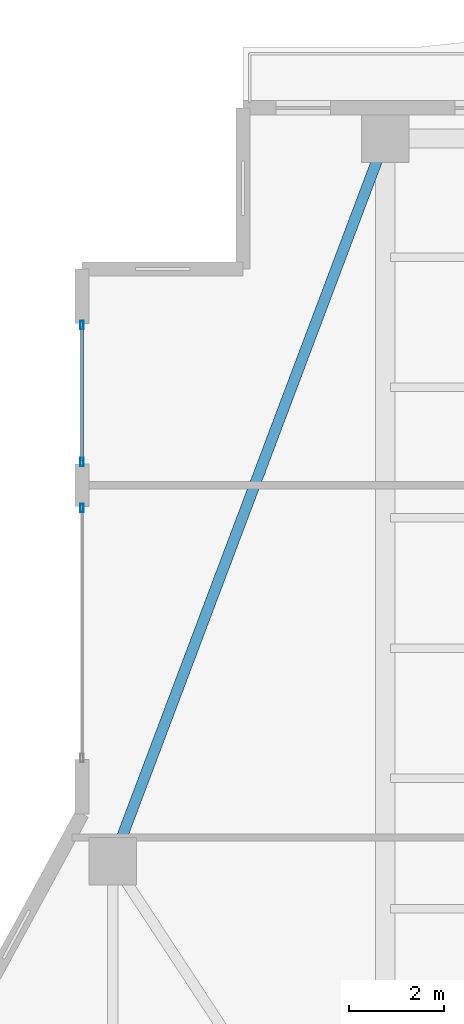
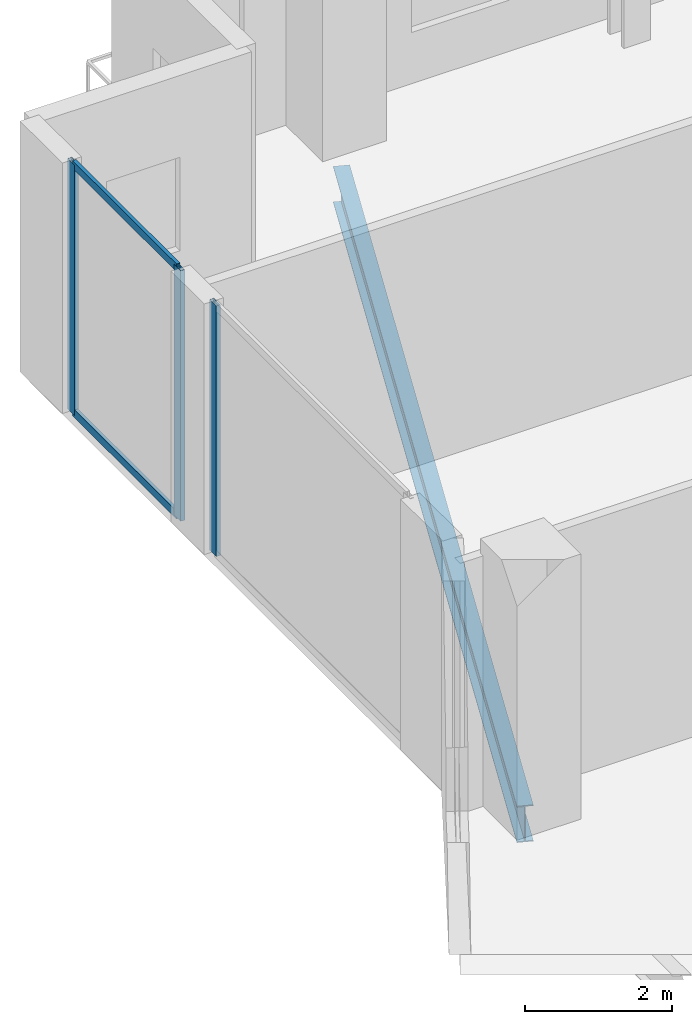
# One storey, part 11 of 24: 5 members, 1 beam, 2 elements without a shape of their own.
"""IFC4 building model written with IfcOpenShell, lengths in metres."""

from ifc_helpers import new_model, si_unit, direction, frame, origin, origin_2d, place, context, subcontext, project, spatial, hollow_rectangle, i_section, extrude, material, layer, layer_set, material_profile, profile_set, type_object, element, aggregate, save


model = new_model("IFC4")

# Units and contexts
model_context = context("Model", 3, precision=1e-05, world=origin(), true_north=direction((0.0, 1.0)))
body_context = subcontext(model_context, "Body", "Model", "MODEL_VIEW")
ifc_project = project(units=[si_unit("LENGTHUNIT", "METRE"), si_unit("AREAUNIT", "SQUARE_METRE"), si_unit("VOLUMEUNIT", "CUBIC_METRE"), si_unit("PLANEANGLEUNIT", "RADIAN"), si_unit("MASSUNIT", "GRAM", prefix="KILO")], contexts=[model_context])

# Site, building, storey
site_placement = place(None, origin())
site = spatial("IfcSite", under=ifc_project, at=site_placement, CompositionType="ELEMENT")
building_placement = place(site_placement, origin())
building = spatial("IfcBuilding", under=site, at=building_placement, Name="Zuhayl Quay Hotel", CompositionType="ELEMENT")
storey_placement = place(building_placement, frame((0.0, 0.0, 292.85009765625)))
storey = spatial("IfcBuildingStorey", under=building, at=storey_placement, Name="L74", CompositionType="ELEMENT", Elevation=292.85009765625)

# Beam
ifc_material_1 = material(Name="Steel ASTM A992 Grade 50", Category="steel")
ifc_material_profile_1 = material_profile(ifc_material_1, i_section(OverallWidth=0.22802734375, OverallDepth=0.60693359375, WebThickness=0.01123046875, FlangeThickness=0.017333984375, at=origin_2d()), Name="W24X76")
ifc_profile_set_1 = profile_set([ifc_material_profile_1], Name="Steel ASTM A992 Grade 50")
beam_type = type_object("IfcBeamType", Name="BM_B3_W24X76", PredefinedType="BEAM", material=ifc_profile_set_1)
beam_placement = place(storey_placement, frame((-13.96240234375, 37.919677734375, -0.523681640625), z_axis=(-0.352796603103, -0.935700035716, 0.0), x_axis=(0.935700035716, -0.352796603103, 0.0)))
element("IfcBeam", 1, at=beam_placement, inside=storey, type_object=beam_type, Name="L74 Floor Beam RG_L74_10", PredefinedType="BEAM", context=body_context, shape_type="SweptSolid", body=[
    extrude(i_section(OverallWidth=0.22802734375, OverallDepth=0.60693359375, WebThickness=0.01123046875, FlangeThickness=0.017333984375, at=origin_2d()), origin(), (0.0, 0.0, 1.0), 15.3779296875),
])

# Curtain wall, member
ifc_material_2 = material(Name="Anodised Aluminium 6063-T6", Category="aluminium")
ifc_layer = layer(ifc_material_2, 0.169921875, Name="Anodised Aluminium 6063-T6", Category="aluminium")
ifc_layer_set = layer_set([ifc_layer], Name="Anodised Aluminium 6063-T6")
curtain_wall_type = type_object("IfcCurtainWallType", Name="CW_SYS_Z4", PredefinedType="USERDEFINED", material=ifc_layer_set)
curtain_wall_1_placement = place(storey_placement, origin())
curtain_wall_1 = element("IfcCurtainWall", 2, at=curtain_wall_1_placement, inside=storey, type_object=curtain_wall_type, Name="L74 Curtain Wall ENV_L74_E05_CW1", ObjectType="UNITISED CURTAIN WALL", PredefinedType="USERDEFINED")
ifc_material_3 = material(Name="Black-anodised aluminium 6063-T6", Category="aluminium")
ifc_material_profile_2 = material_profile(ifc_material_3, hollow_rectangle(XDim=0.06494140625, YDim=0.179931640625, WallThickness=0.00341796875, at=origin_2d()), Name="ALU180X65")
ifc_profile_set_2 = profile_set([ifc_material_profile_2], Name="Black-anodised aluminium 6063-T6")
member_type_1 = type_object("IfcMemberType", Name="MB_CW_MUL_180", PredefinedType="MULLION", material=ifc_profile_set_2)
member_1_placement = place(storey_placement, frame((-20.199951171875, 30.5576171875, 0.0), z_axis=(0.0, 0.0, 1.0), x_axis=(-1.0, 0.0, 0.0)))
member_1 = element("IfcMember", 3, at=member_1_placement, type_object=member_type_1, Name="CW-Z4 mullion 2", PredefinedType="MULLION", context=body_context, shape_type="SweptSolid", body=[
    extrude(hollow_rectangle(XDim=0.06494140625, YDim=0.179931640625, WallThickness=0.00341796875, at=origin_2d()), origin(), (0.0, 0.0, 1.0), 4.159912109375),
])
aggregate(curtain_wall_1, [member_1])

# Curtain wall, members
curtain_wall_2_placement = place(storey_placement, origin())
curtain_wall_2 = element("IfcCurtainWall", 4, at=curtain_wall_2_placement, inside=storey, type_object=curtain_wall_type, Name="L74 Curtain Wall ENV_L74_E05_CW2", ObjectType="UNITISED CURTAIN WALL", PredefinedType="USERDEFINED")
member_2_placement = place(storey_placement, frame((-20.199951171875, 31.5224609375, 0.0), z_axis=(0.0, 0.0, 1.0), x_axis=(-1.0, 0.0, 0.0)))
member_2 = element("IfcMember", 5, at=member_2_placement, type_object=member_type_1, Name="CW-Z4 mullion 1", PredefinedType="MULLION", context=body_context, shape_type="SweptSolid", body=[
    extrude(hollow_rectangle(XDim=0.06494140625, YDim=0.179931640625, WallThickness=0.00341796875, at=origin_2d()), origin(), (0.0, 0.0, 1.0), 4.159912109375),
])
member_3_placement = place(storey_placement, frame((-20.199951171875, 34.41748046875, 0.0), z_axis=(0.0, 0.0, 1.0), x_axis=(-1.0, 0.0, 0.0)))
member_3 = element("IfcMember", 6, at=member_3_placement, type_object=member_type_1, Name="CW-Z4 mullion 2", PredefinedType="MULLION", context=body_context, shape_type="SweptSolid", body=[
    extrude(hollow_rectangle(XDim=0.06494140625, YDim=0.179931640625, WallThickness=0.00341796875, at=origin_2d()), origin(), (0.0, 0.0, 1.0), 4.159912109375),
])
ifc_material_profile_3 = material_profile(ifc_material_3, hollow_rectangle(XDim=0.054931640625, YDim=0.1298828125, WallThickness=0.0029296875, at=origin_2d()), Name="ALU130X55")
ifc_profile_set_3 = profile_set([ifc_material_profile_3], Name="Black-anodised aluminium 6063-T6")
member_type_2 = type_object("IfcMemberType", Name="MB_CW_TRN_130", PredefinedType="USERDEFINED", material=ifc_profile_set_3)
member_4_placement = place(storey_placement, frame((-20.199951171875, 31.554931640625, 0.02734375), z_axis=(0.0, 1.0, 0.0), x_axis=(-1.0, 0.0, 0.0)))
member_4 = element("IfcMember", 7, at=member_4_placement, type_object=member_type_2, Name="CW-Z4 transom 1.1", ObjectType="TRANSOM", PredefinedType="USERDEFINED", context=body_context, shape_type="SweptSolid", body=[
    extrude(hollow_rectangle(XDim=0.054931640625, YDim=0.1298828125, WallThickness=0.0029296875, at=origin_2d()), origin(), (0.0, 0.0, 1.0), 2.830078125),
])
member_5_placement = place(storey_placement, frame((-20.199951171875, 31.554931640625, 4.13232421875), z_axis=(0.0, 1.0, 0.0), x_axis=(-1.0, 0.0, 0.0)))
member_5 = element("IfcMember", 8, at=member_5_placement, type_object=member_type_2, Name="CW-Z4 transom 1.2", ObjectType="TRANSOM", PredefinedType="USERDEFINED", context=body_context, shape_type="SweptSolid", body=[
    extrude(hollow_rectangle(XDim=0.054931640625, YDim=0.1298828125, WallThickness=0.0029296875, at=origin_2d()), origin(), (0.0, 0.0, 1.0), 2.830078125),
])
aggregate(curtain_wall_2, [member_2, member_3, member_4, member_5])

save(model, "model.ifc")
